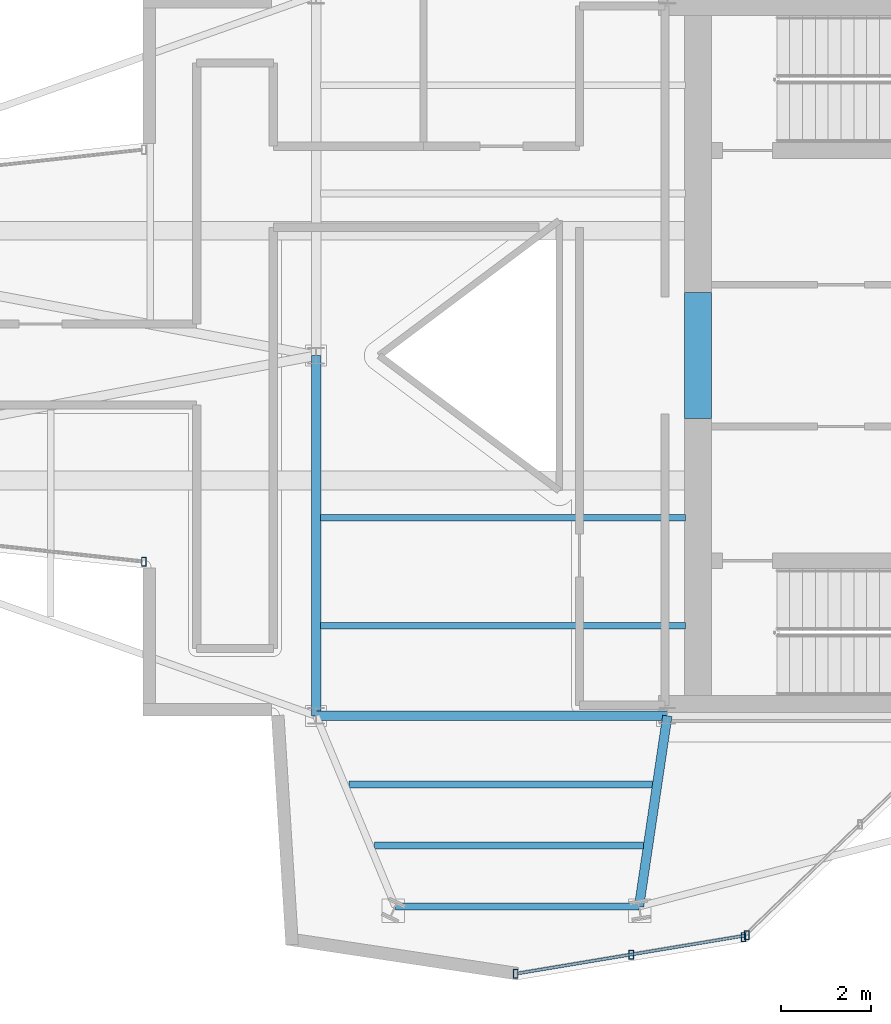
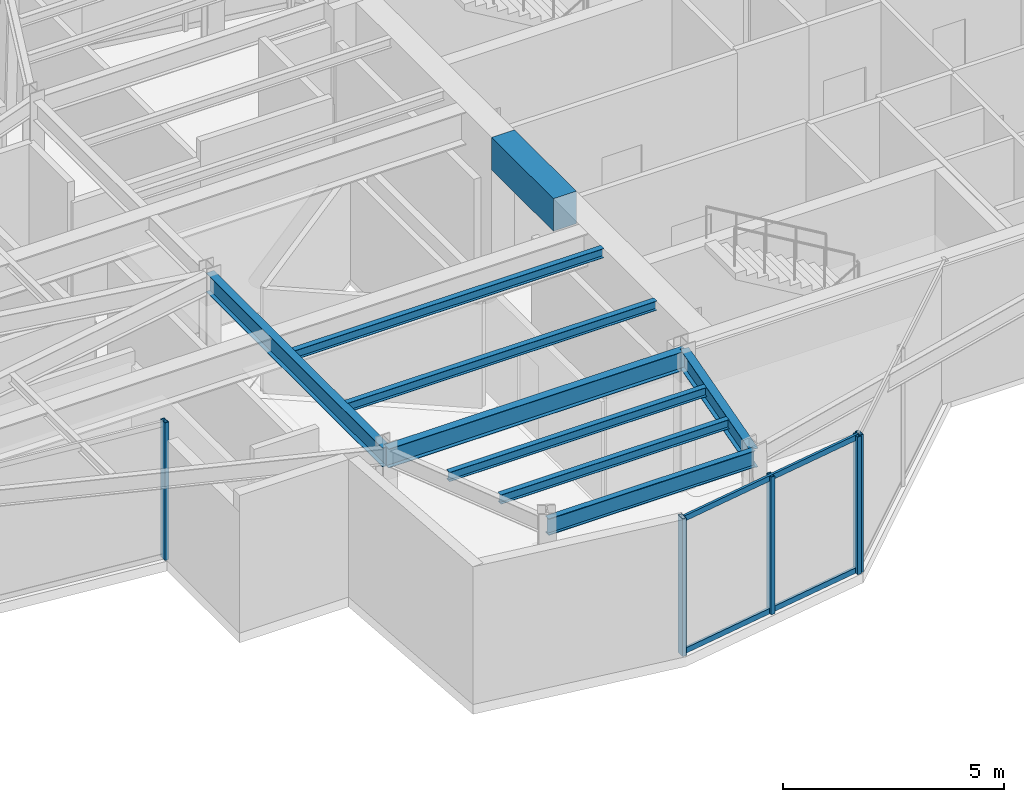
# One storey, part 4 of 18: 9 beams, 7 members, 3 elements without a shape of their own.
"""IFC4 building model written with IfcOpenShell, lengths in metres."""

from ifc_helpers import new_model, si_unit, direction, frame, origin, origin_2d, place, context, subcontext, project, spatial, rectangle, hollow_rectangle, i_section, extrude, material, layer, layer_set, material_profile, profile_set, type_object, element, aggregate, save


model = new_model("IFC4")

# Units and contexts
model_context = context("Model", 3, precision=1e-05, world=origin(), true_north=direction((0.0, 1.0)))
body_context = subcontext(model_context, "Body", "Model", "MODEL_VIEW")
ifc_project = project(units=[si_unit("LENGTHUNIT", "METRE"), si_unit("AREAUNIT", "SQUARE_METRE"), si_unit("VOLUMEUNIT", "CUBIC_METRE"), si_unit("PLANEANGLEUNIT", "RADIAN"), si_unit("MASSUNIT", "GRAM", prefix="KILO")], contexts=[model_context])

# Site, building, storey
site_placement = place(None, origin())
site = spatial("IfcSite", under=ifc_project, at=site_placement, CompositionType="ELEMENT")
building_placement = place(site_placement, origin())
building = spatial("IfcBuilding", under=site, at=building_placement, Name="Veymaron Broadcast Tower", CompositionType="ELEMENT")
storey_placement = place(building_placement, frame((0.0, 0.0, 319.5)))
storey = spatial("IfcBuildingStorey", under=building, at=storey_placement, Name="L75", CompositionType="ELEMENT", Elevation=319.5)

# Beams
ifc_material_1 = material(Name="Concrete C60/75", Category="concrete")
ifc_material_profile_1 = material_profile(ifc_material_1, rectangle(XDim=0.60009765625, YDim=0.89990234375, at=origin_2d()), Name="RC600X900")
ifc_profile_set_1 = profile_set([ifc_material_profile_1], Name="Concrete C60/75")
beam_type_1 = type_object("IfcBeamType", Name="BM-CB2", PredefinedType="LINTEL", material=ifc_profile_set_1)
beam_1_placement = place(storey_placement, frame((39.679931640625, 22.60009765625, 3.360107421875), z_axis=(0.0, 1.0, 0.0), x_axis=(-1.0, 0.0, 0.0)))
element("IfcBeam", 1, at=beam_1_placement, inside=storey, type_object=beam_type_1, Name="L75 Core Wall west coupling beam", PredefinedType="LINTEL", context=body_context, shape_type="SweptSolid", body=[
    extrude(rectangle(XDim=0.60009765625, YDim=0.89990234375, at=origin_2d()), origin(), (0.0, 0.0, 1.0), 2.7998046875),
])
ifc_material_2 = material(Name="Structural steel ASTM A992 Gr 50", Category="steel")
ifc_material_profile_2 = material_profile(ifc_material_2, i_section(OverallWidth=0.208984375, OverallDepth=0.528076171875, WebThickness=0.009521484375, FlangeThickness=0.01318359375, at=origin_2d()), Name="W530X82")
ifc_profile_set_2 = profile_set([ifc_material_profile_2], Name="Structural steel ASTM A992 Gr 50")
beam_type_2 = type_object("IfcBeamType", Name="BM-FG4", PredefinedType="BEAM", material=ifc_profile_set_2)
beam_2_placement = place(storey_placement, frame((31.199951171875, 16.0, 3.5458984375), z_axis=(0.0, 1.0, 0.0), x_axis=(-1.0, 0.0, 0.0)))
element("IfcBeam", 2, at=beam_2_placement, inside=storey, type_object=beam_type_2, Name="L75 primary structural floor girder", PredefinedType="BEAM", context=body_context, shape_type="SweptSolid", body=[
    extrude(i_section(OverallWidth=0.208984375, OverallDepth=0.528076171875, WebThickness=0.009521484375, FlangeThickness=0.01318359375, at=origin_2d()), origin(), (0.0, 0.0, 1.0), 8.0),
])
beam_3_placement = place(storey_placement, frame((31.199951171875, 16.0, 3.5458984375), z_axis=(1.0, 0.0, 0.0), x_axis=(0.0, 1.0, 0.0)))
element("IfcBeam", 3, at=beam_3_placement, inside=storey, type_object=beam_type_2, Name="L75 primary structural floor girder", PredefinedType="BEAM", context=body_context, shape_type="SweptSolid", body=[
    extrude(i_section(OverallWidth=0.208984375, OverallDepth=0.528076171875, WebThickness=0.009521484375, FlangeThickness=0.01318359375, at=origin_2d()), origin(), (0.0, 0.0, 1.0), 7.800048828125),
])
beam_4_placement = place(storey_placement, frame((39.0, 16.0, 3.5458984375), z_axis=(-0.146772016398, -0.989170346908, 0.0), x_axis=(0.989170346908, -0.146772016398, 0.0)))
element("IfcBeam", 4, at=beam_4_placement, inside=storey, type_object=beam_type_2, Name="L75 primary structural floor girder", PredefinedType="BEAM", context=body_context, shape_type="SweptSolid", body=[
    extrude(i_section(OverallWidth=0.208984375, OverallDepth=0.528076171875, WebThickness=0.009521484375, FlangeThickness=0.01318359375, at=origin_2d()), origin(), (0.0, 0.0, 1.0), 4.2783203125),
])
ifc_material_profile_3 = material_profile(ifc_material_2, i_section(OverallWidth=0.14599609375, OverallDepth=0.258056640625, WebThickness=0.006103515625, FlangeThickness=0.009033203125, at=origin_2d()), Name="W250X33")
ifc_profile_set_3 = profile_set([ifc_material_profile_3], Name="Structural steel ASTM A992 Gr 50")
beam_type_3 = type_object("IfcBeamType", Name="BM-JS4", PredefinedType="JOIST", material=ifc_profile_set_3)
beam_5_placement = place(storey_placement, frame((31.93310546875, 14.4765625, 3.680908203125), z_axis=(1.0, 0.0, 0.0), x_axis=(0.0, 1.0, 0.0)))
element("IfcBeam", 5, at=beam_5_placement, inside=storey, type_object=beam_type_3, Name="L75 Arm-C secondary joist 1", PredefinedType="JOIST", context=body_context, shape_type="SweptSolid", body=[
    extrude(i_section(OverallWidth=0.14599609375, OverallDepth=0.258056640625, WebThickness=0.006103515625, FlangeThickness=0.009033203125, at=origin_2d()), origin(), (0.0, 0.0, 1.0), 6.74072265625),
])
beam_6_placement = place(storey_placement, frame((32.49560546875, 13.122314453125, 3.680908203125), z_axis=(1.0, 0.0, 0.0), x_axis=(0.0, 1.0, 0.0)))
element("IfcBeam", 6, at=beam_6_placement, inside=storey, type_object=beam_type_3, Name="L75 Arm-C secondary joist 2", PredefinedType="JOIST", context=body_context, shape_type="SweptSolid", body=[
    extrude(i_section(OverallWidth=0.14599609375, OverallDepth=0.258056640625, WebThickness=0.006103515625, FlangeThickness=0.009033203125, at=origin_2d()), origin(), (0.0, 0.0, 1.0), 5.977294921875),
])
for number, where, z_axis, x_axis, name in (
    (7, (31.300048828125, 18.0, 3.680908203125), (1.0, 0.0, 0.0), (0.0, 1.0, 0.0), "L75 Hub secondary joist 1"),
    (8, (31.300048828125, 20.39990234375, 3.680908203125), (1.0, 0.0, 0.0), (0.0, 1.0, 0.0), "L75 Hub secondary joist 2"),
):
    element("IfcBeam", number, at=place(storey_placement, frame(where, z_axis=z_axis, x_axis=x_axis)), inside=storey, type_object=beam_type_3, Name=name, PredefinedType="JOIST", context=body_context, shape_type="SweptSolid", body=[
        extrude(i_section(OverallWidth=0.14599609375, OverallDepth=0.258056640625, WebThickness=0.006103515625, FlangeThickness=0.009033203125, at=origin_2d()), origin(), (0.0, 0.0, 1.0), 8.099853515625),
    ])
ifc_material_profile_4 = material_profile(ifc_material_2, i_section(OverallWidth=0.154052734375, OverallDepth=0.458984375, WebThickness=0.009033203125, FlangeThickness=0.015380859375, at=origin_2d()), Name="W460X68")
ifc_profile_set_4 = profile_set([ifc_material_profile_4], Name="Structural steel ASTM A992 Gr 50")
beam_type_4 = type_object("IfcBeamType", Name="BM-SP2", PredefinedType="SPANDREL", material=ifc_profile_set_4)
beam_7_placement = place(storey_placement, frame((32.95849609375, 11.76806640625, 3.58056640625), z_axis=(1.0, 0.0, 0.0), x_axis=(0.0, 1.0, 0.0)))
element("IfcBeam", 9, at=beam_7_placement, inside=storey, type_object=beam_type_4, Name="L75 primary structural floor girder", PredefinedType="SPANDREL", context=body_context, shape_type="SweptSolid", body=[
    extrude(i_section(OverallWidth=0.154052734375, OverallDepth=0.458984375, WebThickness=0.009033203125, FlangeThickness=0.015380859375, at=origin_2d()), origin(), (0.0, 0.0, 1.0), 5.41357421875),
])

# Curtain wall, member
ifc_material_3 = material(Name="Anodised aluminium AA 6063-T6 and laminated low-E dark glass", Category="aluminium")
ifc_layer = layer(ifc_material_3, 0.179931640625)
ifc_layer_set = layer_set([ifc_layer], Name="Anodised aluminium AA 6063-T6 and laminated low-E dark glass")
curtain_wall_type = type_object("IfcCurtainWallType", Name="CW-SYS-07", PredefinedType="NOTDEFINED", material=ifc_layer_set)
curtain_wall_1_placement = place(storey_placement, origin())
curtain_wall_1 = element("IfcCurtainWall", 10, at=curtain_wall_1_placement, inside=storey, type_object=curtain_wall_type, Name="L75 dark-glass curtain wall CW-L75-E2-1", PredefinedType="NOTDEFINED")
ifc_material_4 = material(Name="Anodised aluminium AA 6063-T6", Category="aluminium")
ifc_material_profile_5 = material_profile(ifc_material_4, hollow_rectangle(XDim=0.10009765625, YDim=0.199951171875, WallThickness=0.010009765625, at=origin_2d()), Name="RHS200X100X10")
ifc_profile_set_5 = profile_set([ifc_material_profile_5], Name="Anodised aluminium AA 6063-T6")
member_type_1 = type_object("IfcMemberType", Name="CW-MUL-01", PredefinedType="MULLION", material=ifc_profile_set_5)
member_1_placement = place(storey_placement, frame((27.37353515625, 19.423583984375, 0.0), z_axis=(0.0, 0.0, 1.0), x_axis=(1.0, 0.0, 0.0)))
member_1 = element("IfcMember", 11, at=member_1_placement, type_object=member_type_1, Name="CW-L75-E2-1 mullion 2", PredefinedType="MULLION", context=body_context, shape_type="SweptSolid", body=[
    extrude(hollow_rectangle(XDim=0.10009765625, YDim=0.199951171875, WallThickness=0.010009765625, at=origin_2d()), origin(), (0.0, 0.0, 1.0), 3.81005859375),
])
aggregate(curtain_wall_1, [member_1])

# Curtain wall, members
curtain_wall_2_placement = place(storey_placement, origin())
curtain_wall_2 = element("IfcCurtainWall", 12, at=curtain_wall_2_placement, inside=storey, type_object=curtain_wall_type, Name="L75 dark-glass curtain wall CW-L75-E7-1", PredefinedType="NOTDEFINED")
member_2_placement = place(storey_placement, frame((35.6337890625, 10.273193359375, 0.0), z_axis=(0.0, 0.0, 1.0), x_axis=(1.0, 0.0, 0.0)))
member_2 = element("IfcMember", 13, at=member_2_placement, type_object=member_type_1, Name="CW-L75-E7-1 mullion 0", PredefinedType="MULLION", context=body_context, shape_type="SweptSolid", body=[
    extrude(hollow_rectangle(XDim=0.10009765625, YDim=0.199951171875, WallThickness=0.010009765625, at=origin_2d()), origin(), (0.0, 0.0, 1.0), 3.81005859375),
])
member_3_placement = place(storey_placement, frame((38.19873046875, 10.7001953125, 0.0), z_axis=(0.0, 0.0, 1.0), x_axis=(1.0, 0.0, 0.0)))
member_3 = element("IfcMember", 14, at=member_3_placement, type_object=member_type_1, Name="CW-L75-E7-1 mullion 1", PredefinedType="MULLION", context=body_context, shape_type="SweptSolid", body=[
    extrude(hollow_rectangle(XDim=0.10009765625, YDim=0.199951171875, WallThickness=0.010009765625, at=origin_2d()), origin(), (0.0, 0.0, 1.0), 3.81005859375),
])
member_4_placement = place(storey_placement, frame((40.763427734375, 11.126953125, 0.0), z_axis=(0.0, 0.0, 1.0), x_axis=(1.0, 0.0, 0.0)))
member_4 = element("IfcMember", 15, at=member_4_placement, type_object=member_type_1, Name="CW-L75-E7-1 mullion 2", PredefinedType="MULLION", context=body_context, shape_type="SweptSolid", body=[
    extrude(hollow_rectangle(XDim=0.10009765625, YDim=0.199951171875, WallThickness=0.010009765625, at=origin_2d()), origin(), (0.0, 0.0, 1.0), 3.81005859375),
])

# Curtain wall, member
curtain_wall_3_placement = place(storey_placement, origin())
curtain_wall_3 = element("IfcCurtainWall", 16, at=curtain_wall_3_placement, inside=storey, type_object=curtain_wall_type, Name="L75 dark-glass curtain wall CW-L75-E8-1", PredefinedType="NOTDEFINED")
member_5_placement = place(storey_placement, frame((40.689208984375, 11.089599609375, 0.0), z_axis=(0.0, 0.0, 1.0), x_axis=(1.0, 0.0, 0.0)))
member_5 = element("IfcMember", 17, at=member_5_placement, type_object=member_type_1, Name="CW-L75-E8-1 mullion 0", PredefinedType="MULLION", context=body_context, shape_type="SweptSolid", body=[
    extrude(hollow_rectangle(XDim=0.10009765625, YDim=0.199951171875, WallThickness=0.010009765625, at=origin_2d()), origin(), (0.0, 0.0, 1.0), 3.81005859375),
])
aggregate(curtain_wall_3, [member_5])

# Member
ifc_material_profile_6 = material_profile(ifc_material_4, hollow_rectangle(XDim=0.06494140625, YDim=0.14990234375, WallThickness=0.00390625, at=origin_2d()), Name="AL150X65X4")
ifc_profile_set_6 = profile_set([ifc_material_profile_6], Name="Anodised aluminium AA 6063-T6")
member_type_2 = type_object("IfcMemberType", Name="CW-TRN-01", PredefinedType="USERDEFINED", material=ifc_profile_set_6)
member_6_placement = place(storey_placement, frame((35.68310546875, 10.281494140625, 0.070068359375), z_axis=(0.986436584547, 0.164142817897, 0.0), x_axis=(-0.164142817897, 0.986436584547, 0.0)))
member_6 = element("IfcMember", 18, at=member_6_placement, type_object=member_type_2, Name="CW-L75-E7-1 transom B", ObjectType="TRANSOM", PredefinedType="USERDEFINED", context=body_context, shape_type="SweptSolid", body=[
    extrude(hollow_rectangle(XDim=0.06494140625, YDim=0.14990234375, WallThickness=0.00390625, at=origin_2d()), origin(), (0.0, 0.0, 1.0), 5.10009765625),
])

member_7_placement = place(storey_placement, frame((35.68310546875, 10.281494140625, 3.739990234375), z_axis=(0.986436584547, 0.164142817897, 0.0), x_axis=(-0.164142817897, 0.986436584547, 0.0)))
member_7 = element("IfcMember", 19, at=member_7_placement, type_object=member_type_2, Name="CW-L75-E7-1 transom T", ObjectType="TRANSOM", PredefinedType="USERDEFINED", context=body_context, shape_type="SweptSolid", body=[
    extrude(hollow_rectangle(XDim=0.06494140625, YDim=0.14990234375, WallThickness=0.00390625, at=origin_2d()), origin(), (0.0, 0.0, 1.0), 5.10009765625),
])

aggregate(curtain_wall_2, [member_2, member_3, member_4, member_6, member_7])

save(model, "model.ifc")
